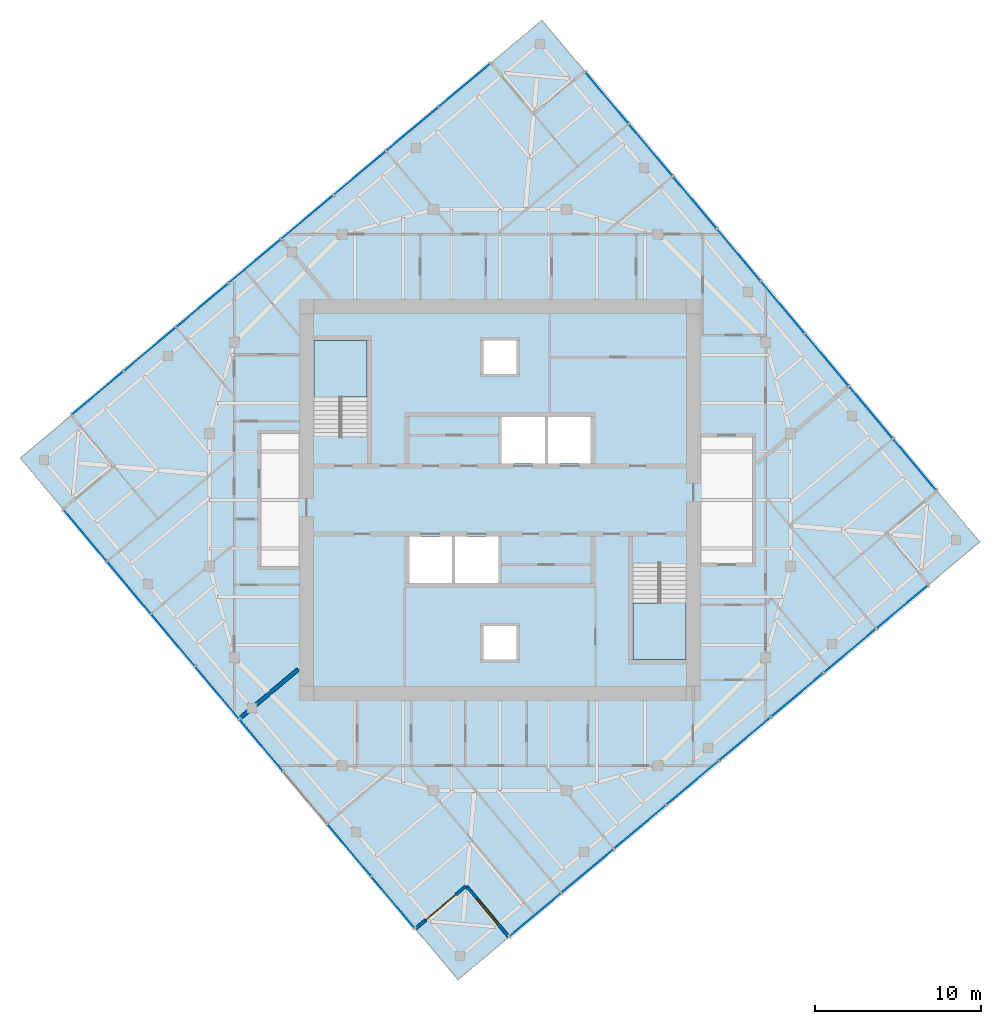
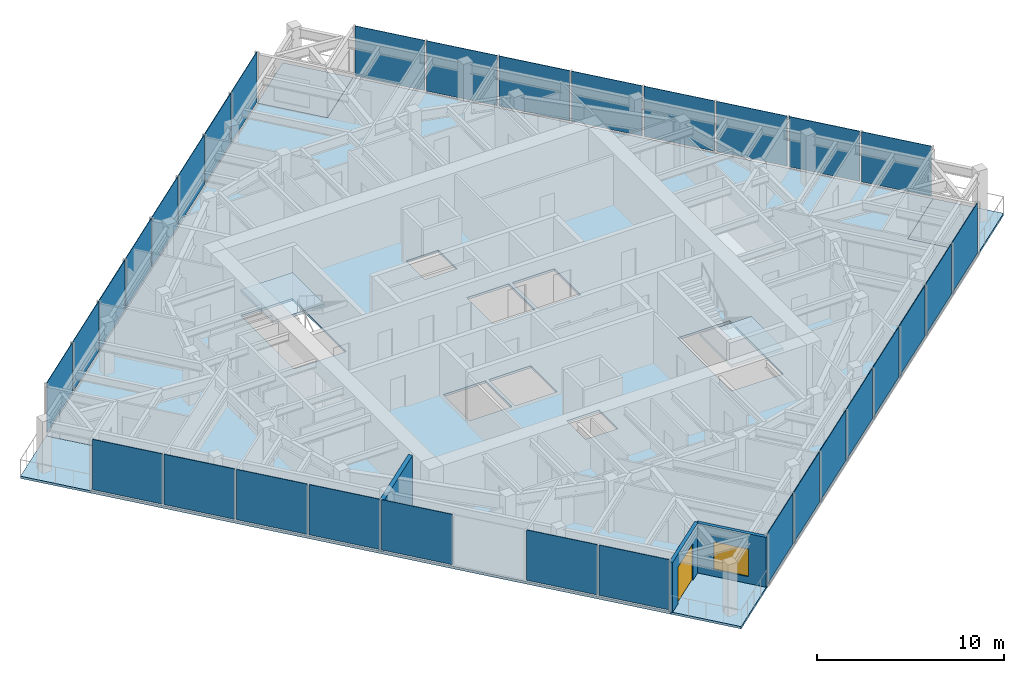
# One storey, part 6 of 12: 31 plates, 7 slabs, 3 walls, 1 door, 1 window, 2 openings, 6 elements without a shape of their own.
"""IFC4 building model written with IfcOpenShell, lengths in metres."""

from ifc_helpers import new_model, si_unit, direction, frame, frame_2d, origin, origin_2d, place, context, subcontext, project, spatial, polyline, rectangle, outline, extrude, material, layer, layer_set, type_object, element, fill, aggregate, save


model = new_model("IFC4")

# Units and contexts
model_context = context("Model", 3, precision=1e-05, world=origin(), true_north=direction((0.0, 1.0)))
body_context = subcontext(model_context, "Body", "Model", "MODEL_VIEW")
ifc_project = project(units=[si_unit("LENGTHUNIT", "METRE"), si_unit("AREAUNIT", "SQUARE_METRE"), si_unit("VOLUMEUNIT", "CUBIC_METRE"), si_unit("PLANEANGLEUNIT", "RADIAN"), si_unit("MASSUNIT", "GRAM", prefix="KILO")], contexts=[model_context])

# Site, building, storey
site_placement = place(None, origin())
site = spatial("IfcSite", under=ifc_project, at=site_placement, CompositionType="ELEMENT")
building_placement = place(site_placement, origin())
building = spatial("IfcBuilding", under=site, at=building_placement, Name="Torsade Residences", CompositionType="ELEMENT")
storey_placement = place(building_placement, frame((0.0, 0.0, 282.800048828125)))
storey = spatial("IfcBuildingStorey", under=building, at=storey_placement, Name="L78", CompositionType="ELEMENT", Elevation=282.800048828125)

# Slab
ifc_material_1 = material(Name="Concrete 40 MPa", Category="concrete")
ifc_layer_1 = layer(ifc_material_1, 0.14990234375)
ifc_layer_set_1 = layer_set([ifc_layer_1], Name="Concrete 40 MPa")
slab_type_1 = type_object("IfcSlabType", Name="COMPOSITE FLOOR SLAB 150", PredefinedType="FLOOR", material=ifc_layer_set_1)
slab_1_placement = place(storey_placement, frame((0.0, 0.0, -0.150146484375)))
element("IfcSlab", 1, at=slab_1_placement, inside=storey, type_object=slab_type_1, Name="Floor slab L78", PredefinedType="FLOOR", context=body_context, shape_type="SweptSolid", body=[
    extrude(outline(polyline([(40.537353515625, 3.690185546875), (65.81689453125, 24.902099609375), (63.245849609375, 27.96630859375), (66.309814453125, 30.537353515625), (45.097900390625, 55.81689453125), (42.03369140625, 53.245849609375), (39.462646484375, 56.309814453125), (14.18310546875, 35.097900390625), (16.754150390625, 32.03369140625), (13.690185546875, 29.462646484375), (34.902099609375, 4.18310546875), (37.96630859375, 6.754150390625), (40.537353515625, 3.690185546875)]), holes=[polyline([(51.199951171875, 26.1201171875), (48.0, 26.1201171875), (48.0, 20.39990234375), (51.199951171875, 20.39990234375), (51.199951171875, 26.1201171875)]), polyline([(45.5, 35.0), (42.89990234375, 35.0), (42.89990234375, 32.199951171875), (45.5, 32.199951171875), (45.5, 35.0)]), polyline([(42.699951171875, 35.0), (40.10009765625, 35.0), (40.10009765625, 32.199951171875), (42.699951171875, 32.199951171875), (42.699951171875, 35.0)]), polyline([(41.0, 22.39990234375), (39.0, 22.39990234375), (39.0, 20.39990234375), (41.0, 20.39990234375), (41.0, 22.39990234375)]), polyline([(41.0, 39.60009765625), (39.0, 39.60009765625), (39.0, 37.60009765625), (41.0, 37.60009765625), (41.0, 39.60009765625)]), polyline([(39.89990234375, 27.800048828125), (37.300048828125, 27.800048828125), (37.300048828125, 25.0), (39.89990234375, 25.0), (39.89990234375, 27.800048828125)]), polyline([(37.10009765625, 27.800048828125), (34.5, 27.800048828125), (34.5, 25.0), (37.10009765625, 25.0), (37.10009765625, 27.800048828125)]), polyline([(32.0, 39.60009765625), (28.800048828125, 39.60009765625), (28.800048828125, 33.8798828125), (32.0, 33.8798828125), (32.0, 39.60009765625)])]), origin(), (0.0, 0.0, 1.0), 0.150146484375),
])

# Curtain wall, plates
ifc_material_2 = material(Name="Aluminium and glass", Category="aluminium")
curtain_wall_type = type_object("IfcCurtainWallType", Name="FRITTED GLASS CURTAIN WALL HIGH ZONE", PredefinedType="NOTDEFINED", material=ifc_material_2)
curtain_wall_1_placement = place(storey_placement, origin())
curtain_wall_1 = element("IfcCurtainWall", 2, at=curtain_wall_1_placement, inside=storey, type_object=curtain_wall_type, Name="Curtain wall L78 face 1", PredefinedType="NOTDEFINED")
ifc_material_3 = material(Name="Laminated glass", Category="glass")
ifc_layer_2 = layer(ifc_material_3, 0.031982421875)
ifc_layer_set_2 = layer_set([ifc_layer_2], Name="Laminated glass")
plate_type_1 = type_object("IfcPlateType", Name="FRITTED GLASS PANEL", PredefinedType="CURTAIN_PANEL", material=ifc_layer_set_2)
plate_1_placement = place(storey_placement, frame((42.136474609375, 5.031982421875, 0.1201171875), z_axis=(0.0, 0.0, 1.0), x_axis=(0.766044437106, 0.642787616853, 0.0)))
plate_1 = element("IfcPlate", 3, at=plate_1_placement, type_object=plate_type_1, Name="Panel 1", PredefinedType="CURTAIN_PANEL", context=body_context, shape_type="SweptSolid", body=[
    extrude(rectangle(XDim=3.97509765625, YDim=0.031982421875, at=origin_2d()), origin(), (0.0, 0.0, 1.0), 3.280029296875),
])
plate_2_placement = place(storey_placement, frame((48.437255859375, 10.31884765625, 0.1201171875), z_axis=(0.0, 0.0, 1.0), x_axis=(0.766044437106, 0.642787616853, 0.0)))
plate_2 = element("IfcPlate", 4, at=plate_2_placement, type_object=plate_type_1, Name="Panel 3", PredefinedType="CURTAIN_PANEL", context=body_context, shape_type="SweptSolid", body=[
    extrude(rectangle(XDim=4.02490234375, YDim=0.031982421875, at=origin_2d()), origin(), (0.0, 0.0, 1.0), 3.280029296875),
])
plate_3_placement = place(storey_placement, frame((51.59716796875, 12.970458984375, 0.1201171875), z_axis=(0.0, 0.0, 1.0), x_axis=(0.766044437106, 0.642787616853, 0.0)))
plate_3 = element("IfcPlate", 5, at=plate_3_placement, type_object=plate_type_1, Name="Panel 4", PredefinedType="CURTAIN_PANEL", context=body_context, shape_type="SweptSolid", body=[
    extrude(rectangle(XDim=4.02490234375, YDim=0.031982421875, at=origin_2d()), origin(), (0.0, 0.0, 1.0), 3.280029296875),
])
plate_4_placement = place(storey_placement, frame((54.757080078125, 15.621826171875, 0.1201171875), z_axis=(0.0, 0.0, 1.0), x_axis=(0.766044437106, 0.642787616853, 0.0)))
plate_4 = element("IfcPlate", 6, at=plate_4_placement, type_object=plate_type_1, Name="Panel 5", PredefinedType="CURTAIN_PANEL", context=body_context, shape_type="SweptSolid", body=[
    extrude(rectangle(XDim=4.02490234375, YDim=0.031982421875, at=origin_2d()), origin(), (0.0, 0.0, 1.0), 3.280029296875),
])
plate_5_placement = place(storey_placement, frame((61.076904296875, 20.9248046875, 0.1201171875), z_axis=(0.0, 0.0, 1.0), x_axis=(0.766044437106, 0.642787616853, 0.0)))
plate_5 = element("IfcPlate", 7, at=plate_5_placement, type_object=plate_type_1, Name="Panel 7", PredefinedType="CURTAIN_PANEL", context=body_context, shape_type="SweptSolid", body=[
    extrude(rectangle(XDim=4.02490234375, YDim=0.031982421875, at=origin_2d()), origin(), (0.0, 0.0, 1.0), 3.280029296875),
])
plate_6_placement = place(storey_placement, frame((64.2177734375, 23.560302734375, 0.1201171875), z_axis=(0.0, 0.0, 1.0), x_axis=(0.766044437106, 0.642787616853, 0.0)))
plate_6 = element("IfcPlate", 8, at=plate_6_placement, type_object=plate_type_1, Name="Panel 8", PredefinedType="CURTAIN_PANEL", context=body_context, shape_type="SweptSolid", body=[
    extrude(rectangle(XDim=3.97509765625, YDim=0.031982421875, at=origin_2d()), origin(), (0.0, 0.0, 1.0), 3.280029296875),
])

curtain_wall_2_placement = place(storey_placement, origin())
curtain_wall_2 = element("IfcCurtainWall", 9, at=curtain_wall_2_placement, inside=storey, type_object=curtain_wall_type, Name="Curtain wall L78 face 4", PredefinedType="NOTDEFINED")
plate_7_placement = place(storey_placement, frame((64.968017578125, 32.136474609375, 0.1201171875), z_axis=(0.0, 0.0, 1.0), x_axis=(-0.642787616853, 0.766044437106, 0.0)))
plate_7 = element("IfcPlate", 10, at=plate_7_placement, type_object=plate_type_1, Name="Panel 1", PredefinedType="CURTAIN_PANEL", context=body_context, shape_type="SweptSolid", body=[
    extrude(rectangle(XDim=3.97509765625, YDim=0.031982421875, at=origin_2d()), origin(), (0.0, 0.0, 1.0), 3.280029296875),
])
plate_8_placement = place(storey_placement, frame((59.68115234375, 38.437255859375, 0.1201171875), z_axis=(0.0, 0.0, 1.0), x_axis=(-0.642787616853, 0.766044437106, 0.0)))
plate_8 = element("IfcPlate", 11, at=plate_8_placement, type_object=plate_type_1, Name="Panel 3", PredefinedType="CURTAIN_PANEL", context=body_context, shape_type="SweptSolid", body=[
    extrude(rectangle(XDim=4.02490234375, YDim=0.031982421875, at=origin_2d()), origin(), (0.0, 0.0, 1.0), 3.280029296875),
])
plate_9_placement = place(storey_placement, frame((57.029541015625, 41.59716796875, 0.1201171875), z_axis=(0.0, 0.0, 1.0), x_axis=(-0.642787616853, 0.766044437106, 0.0)))
plate_9 = element("IfcPlate", 12, at=plate_9_placement, type_object=plate_type_1, Name="Panel 4", PredefinedType="CURTAIN_PANEL", context=body_context, shape_type="SweptSolid", body=[
    extrude(rectangle(XDim=4.02490234375, YDim=0.031982421875, at=origin_2d()), origin(), (0.0, 0.0, 1.0), 3.280029296875),
])
plate_10_placement = place(storey_placement, frame((54.378173828125, 44.757080078125, 0.1201171875), z_axis=(0.0, 0.0, 1.0), x_axis=(-0.642787616853, 0.766044437106, 0.0)))
plate_10 = element("IfcPlate", 13, at=plate_10_placement, type_object=plate_type_1, Name="Panel 5", PredefinedType="CURTAIN_PANEL", context=body_context, shape_type="SweptSolid", body=[
    extrude(rectangle(XDim=4.02490234375, YDim=0.031982421875, at=origin_2d()), origin(), (0.0, 0.0, 1.0), 3.280029296875),
])
plate_11_placement = place(storey_placement, frame((49.0751953125, 51.076904296875, 0.1201171875), z_axis=(0.0, 0.0, 1.0), x_axis=(-0.642787616853, 0.766044437106, 0.0)))
plate_11 = element("IfcPlate", 14, at=plate_11_placement, type_object=plate_type_1, Name="Panel 7", PredefinedType="CURTAIN_PANEL", context=body_context, shape_type="SweptSolid", body=[
    extrude(rectangle(XDim=4.02490234375, YDim=0.031982421875, at=origin_2d()), origin(), (0.0, 0.0, 1.0), 3.280029296875),
])
plate_12_placement = place(storey_placement, frame((46.439697265625, 54.2177734375, 0.1201171875), z_axis=(0.0, 0.0, 1.0), x_axis=(-0.642787616853, 0.766044437106, 0.0)))
plate_12 = element("IfcPlate", 15, at=plate_12_placement, type_object=plate_type_1, Name="Panel 8", PredefinedType="CURTAIN_PANEL", context=body_context, shape_type="SweptSolid", body=[
    extrude(rectangle(XDim=3.97509765625, YDim=0.031982421875, at=origin_2d()), origin(), (0.0, 0.0, 1.0), 3.280029296875),
])

curtain_wall_3_placement = place(storey_placement, origin())
curtain_wall_3 = element("IfcCurtainWall", 16, at=curtain_wall_3_placement, inside=storey, type_object=curtain_wall_type, Name="Curtain wall L78 face 7", PredefinedType="NOTDEFINED")
plate_13_placement = place(storey_placement, frame((37.863525390625, 54.968017578125, 0.1201171875), z_axis=(0.0, 0.0, 1.0), x_axis=(-0.766044437106, -0.642787616853, 0.0)))
plate_13 = element("IfcPlate", 17, at=plate_13_placement, type_object=plate_type_1, Name="Panel 1", PredefinedType="CURTAIN_PANEL", context=body_context, shape_type="SweptSolid", body=[
    extrude(rectangle(XDim=3.97509765625, YDim=0.031982421875, at=origin_2d()), origin(), (0.0, 0.0, 1.0), 3.280029296875),
])
plate_14_placement = place(storey_placement, frame((31.562744140625, 49.68115234375, 0.1201171875), z_axis=(0.0, 0.0, 1.0), x_axis=(-0.766044437106, -0.642787616853, 0.0)))
plate_14 = element("IfcPlate", 18, at=plate_14_placement, type_object=plate_type_1, Name="Panel 3", PredefinedType="CURTAIN_PANEL", context=body_context, shape_type="SweptSolid", body=[
    extrude(rectangle(XDim=4.02490234375, YDim=0.031982421875, at=origin_2d()), origin(), (0.0, 0.0, 1.0), 3.280029296875),
])
plate_15_placement = place(storey_placement, frame((28.40283203125, 47.029541015625, 0.1201171875), z_axis=(0.0, 0.0, 1.0), x_axis=(-0.766044437106, -0.642787616853, 0.0)))
plate_15 = element("IfcPlate", 19, at=plate_15_placement, type_object=plate_type_1, Name="Panel 4", PredefinedType="CURTAIN_PANEL", context=body_context, shape_type="SweptSolid", body=[
    extrude(rectangle(XDim=4.02490234375, YDim=0.031982421875, at=origin_2d()), origin(), (0.0, 0.0, 1.0), 3.280029296875),
])
plate_16_placement = place(storey_placement, frame((25.242919921875, 44.378173828125, 0.1201171875), z_axis=(0.0, 0.0, 1.0), x_axis=(-0.766044437106, -0.642787616853, 0.0)))
plate_16 = element("IfcPlate", 20, at=plate_16_placement, type_object=plate_type_1, Name="Panel 5", PredefinedType="CURTAIN_PANEL", context=body_context, shape_type="SweptSolid", body=[
    extrude(rectangle(XDim=4.02490234375, YDim=0.031982421875, at=origin_2d()), origin(), (0.0, 0.0, 1.0), 3.280029296875),
])
plate_17_placement = place(storey_placement, frame((18.923095703125, 39.0751953125, 0.1201171875), z_axis=(0.0, 0.0, 1.0), x_axis=(-0.766044437106, -0.642787616853, 0.0)))
plate_17 = element("IfcPlate", 21, at=plate_17_placement, type_object=plate_type_1, Name="Panel 7", PredefinedType="CURTAIN_PANEL", context=body_context, shape_type="SweptSolid", body=[
    extrude(rectangle(XDim=4.02490234375, YDim=0.031982421875, at=origin_2d()), origin(), (0.0, 0.0, 1.0), 3.280029296875),
])
plate_18_placement = place(storey_placement, frame((15.7822265625, 36.439697265625, 0.1201171875), z_axis=(0.0, 0.0, 1.0), x_axis=(-0.766044437106, -0.642787616853, 0.0)))
plate_18 = element("IfcPlate", 22, at=plate_18_placement, type_object=plate_type_1, Name="Panel 8", PredefinedType="CURTAIN_PANEL", context=body_context, shape_type="SweptSolid", body=[
    extrude(rectangle(XDim=3.97509765625, YDim=0.031982421875, at=origin_2d()), origin(), (0.0, 0.0, 1.0), 3.280029296875),
])

curtain_wall_4_placement = place(storey_placement, origin())
curtain_wall_4 = element("IfcCurtainWall", 23, at=curtain_wall_4_placement, inside=storey, type_object=curtain_wall_type, Name="Curtain wall L78 face 10", PredefinedType="NOTDEFINED")
plate_19_placement = place(storey_placement, frame((15.031982421875, 27.863525390625, 0.1201171875), z_axis=(0.0, 0.0, 1.0), x_axis=(0.642787616853, -0.766044437106, 0.0)))
plate_19 = element("IfcPlate", 24, at=plate_19_placement, type_object=plate_type_1, Name="Panel 1", PredefinedType="CURTAIN_PANEL", context=body_context, shape_type="SweptSolid", body=[
    extrude(rectangle(XDim=3.97509765625, YDim=0.031982421875, at=origin_2d()), origin(), (0.0, 0.0, 1.0), 3.280029296875),
])
plate_20_placement = place(storey_placement, frame((20.31884765625, 21.562744140625, 0.1201171875), z_axis=(0.0, 0.0, 1.0), x_axis=(0.642787616853, -0.766044437106, 0.0)))
plate_20 = element("IfcPlate", 25, at=plate_20_placement, type_object=plate_type_1, Name="Panel 3", PredefinedType="CURTAIN_PANEL", context=body_context, shape_type="SweptSolid", body=[
    extrude(rectangle(XDim=4.02490234375, YDim=0.031982421875, at=origin_2d()), origin(), (0.0, 0.0, 1.0), 3.280029296875),
])
plate_21_placement = place(storey_placement, frame((22.970458984375, 18.40283203125, 0.1201171875), z_axis=(0.0, 0.0, 1.0), x_axis=(0.642787616853, -0.766044437106, 0.0)))
plate_21 = element("IfcPlate", 26, at=plate_21_placement, type_object=plate_type_1, Name="Panel 4", PredefinedType="CURTAIN_PANEL", context=body_context, shape_type="SweptSolid", body=[
    extrude(rectangle(XDim=4.02490234375, YDim=0.031982421875, at=origin_2d()), origin(), (0.0, 0.0, 1.0), 3.280029296875),
])
plate_22_placement = place(storey_placement, frame((25.621826171875, 15.242919921875, 0.1201171875), z_axis=(0.0, 0.0, 1.0), x_axis=(0.642787616853, -0.766044437106, 0.0)))
plate_22 = element("IfcPlate", 27, at=plate_22_placement, type_object=plate_type_1, Name="Panel 5", PredefinedType="CURTAIN_PANEL", context=body_context, shape_type="SweptSolid", body=[
    extrude(rectangle(XDim=4.02490234375, YDim=0.031982421875, at=origin_2d()), origin(), (0.0, 0.0, 1.0), 3.280029296875),
])
plate_23_placement = place(storey_placement, frame((30.9248046875, 8.923095703125, 0.1201171875), z_axis=(0.0, 0.0, 1.0), x_axis=(0.642787616853, -0.766044437106, 0.0)))
plate_23 = element("IfcPlate", 28, at=plate_23_placement, type_object=plate_type_1, Name="Panel 7", PredefinedType="CURTAIN_PANEL", context=body_context, shape_type="SweptSolid", body=[
    extrude(rectangle(XDim=4.02490234375, YDim=0.031982421875, at=origin_2d()), origin(), (0.0, 0.0, 1.0), 3.280029296875),
])
plate_24_placement = place(storey_placement, frame((33.560302734375, 5.7822265625, 0.1201171875), z_axis=(0.0, 0.0, 1.0), x_axis=(0.642787616853, -0.766044437106, 0.0)))
plate_24 = element("IfcPlate", 29, at=plate_24_placement, type_object=plate_type_1, Name="Panel 8", PredefinedType="CURTAIN_PANEL", context=body_context, shape_type="SweptSolid", body=[
    extrude(rectangle(XDim=3.97509765625, YDim=0.031982421875, at=origin_2d()), origin(), (0.0, 0.0, 1.0), 3.280029296875),
])

# Plate
ifc_material_4 = material(Name="Laminated glass", Category="glass")
ifc_layer_3 = layer(ifc_material_4, 0.0400390625)
ifc_layer_set_3 = layer_set([ifc_layer_3], Name="Laminated glass")
plate_type_2 = type_object("IfcPlateType", Name="OPERABLE VENT PANEL", PredefinedType="CURTAIN_PANEL", material=ifc_layer_set_3)
plate_25_placement = place(storey_placement, frame((45.27734375, 7.667236328125, 0.1201171875), z_axis=(0.0, 0.0, 1.0), x_axis=(0.766044437106, 0.642787616853, 0.0)))
plate_25 = element("IfcPlate", 30, at=plate_25_placement, type_object=plate_type_2, Name="Panel 2", PredefinedType="CURTAIN_PANEL", context=body_context, shape_type="SweptSolid", body=[
    extrude(rectangle(XDim=4.02490234375, YDim=0.0400390625, at=origin_2d()), origin(), (0.0, 0.0, 1.0), 3.280029296875),
])

plate_26_placement = place(storey_placement, frame((57.9169921875, 18.2734375, 0.1201171875), z_axis=(0.0, 0.0, 1.0), x_axis=(0.766044437106, 0.642787616853, 0.0)))
plate_26 = element("IfcPlate", 31, at=plate_26_placement, type_object=plate_type_2, Name="Panel 6", PredefinedType="CURTAIN_PANEL", context=body_context, shape_type="SweptSolid", body=[
    extrude(rectangle(XDim=4.02490234375, YDim=0.0400390625, at=origin_2d()), origin(), (0.0, 0.0, 1.0), 3.280029296875),
])

aggregate(curtain_wall_1, [plate_1, plate_25, plate_2, plate_3, plate_4, plate_26, plate_5, plate_6])

plate_27_placement = place(storey_placement, frame((62.332763671875, 35.27734375, 0.1201171875), z_axis=(0.0, 0.0, 1.0), x_axis=(-0.642787616853, 0.766044437106, 0.0)))
plate_27 = element("IfcPlate", 32, at=plate_27_placement, type_object=plate_type_2, Name="Panel 2", PredefinedType="CURTAIN_PANEL", context=body_context, shape_type="SweptSolid", body=[
    extrude(rectangle(XDim=4.02490234375, YDim=0.0400390625, at=origin_2d()), origin(), (0.0, 0.0, 1.0), 3.280029296875),
])

plate_28_placement = place(storey_placement, frame((51.7265625, 47.9169921875, 0.1201171875), z_axis=(0.0, 0.0, 1.0), x_axis=(-0.642787616853, 0.766044437106, 0.0)))
plate_28 = element("IfcPlate", 33, at=plate_28_placement, type_object=plate_type_2, Name="Panel 6", PredefinedType="CURTAIN_PANEL", context=body_context, shape_type="SweptSolid", body=[
    extrude(rectangle(XDim=4.02490234375, YDim=0.0400390625, at=origin_2d()), origin(), (0.0, 0.0, 1.0), 3.280029296875),
])

aggregate(curtain_wall_2, [plate_7, plate_27, plate_8, plate_9, plate_10, plate_28, plate_11, plate_12])

plate_29_placement = place(storey_placement, frame((34.72265625, 52.332763671875, 0.1201171875), z_axis=(0.0, 0.0, 1.0), x_axis=(-0.766044437106, -0.642787616853, 0.0)))
plate_29 = element("IfcPlate", 34, at=plate_29_placement, type_object=plate_type_2, Name="Panel 2", PredefinedType="CURTAIN_PANEL", context=body_context, shape_type="SweptSolid", body=[
    extrude(rectangle(XDim=4.02490234375, YDim=0.0400390625, at=origin_2d()), origin(), (0.0, 0.0, 1.0), 3.280029296875),
])

plate_30_placement = place(storey_placement, frame((22.0830078125, 41.7265625, 0.1201171875), z_axis=(0.0, 0.0, 1.0), x_axis=(-0.766044437106, -0.642787616853, 0.0)))
plate_30 = element("IfcPlate", 35, at=plate_30_placement, type_object=plate_type_2, Name="Panel 6", PredefinedType="CURTAIN_PANEL", context=body_context, shape_type="SweptSolid", body=[
    extrude(rectangle(XDim=4.02490234375, YDim=0.0400390625, at=origin_2d()), origin(), (0.0, 0.0, 1.0), 3.280029296875),
])

aggregate(curtain_wall_3, [plate_13, plate_29, plate_14, plate_15, plate_16, plate_30, plate_17, plate_18])

plate_31_placement = place(storey_placement, frame((17.667236328125, 24.72265625, 0.1201171875), z_axis=(0.0, 0.0, 1.0), x_axis=(0.642787616853, -0.766044437106, 0.0)))
plate_31 = element("IfcPlate", 36, at=plate_31_placement, type_object=plate_type_2, Name="Panel 2", PredefinedType="CURTAIN_PANEL", context=body_context, shape_type="SweptSolid", body=[
    extrude(rectangle(XDim=4.02490234375, YDim=0.0400390625, at=origin_2d()), origin(), (0.0, 0.0, 1.0), 3.280029296875),
])

aggregate(curtain_wall_4, [plate_19, plate_31, plate_20, plate_21, plate_22, plate_23, plate_24])

# Stair, slab
ifc_material_5 = material(Name="Precast concrete 40 MPa", Category="concrete")
stair_type = type_object("IfcStairType", Name="HALF-TURN FIRE STAIR 1500x3400", PredefinedType="HALF_TURN_STAIR", material=ifc_material_5)
stair_1_placement = place(storey_placement, origin())
stair_1 = element("IfcStair", 37, at=stair_1_placement, inside=storey, type_object=stair_type, Name="Stair ST1 L78", PredefinedType="HALF_TURN_STAIR")
ifc_material_6 = material(Name="Precast concrete 40 MPa", Category="concrete")
ifc_layer_4 = layer(ifc_material_6, 0.179931640625)
ifc_layer_set_4 = layer_set([ifc_layer_4], Name="Precast concrete 40 MPa")
slab_type_2 = type_object("IfcSlabType", Name="PRECAST STAIR LANDING 180", PredefinedType="LANDING", material=ifc_layer_set_4)
slab_2_placement = place(storey_placement, frame((0.0, 0.0, 1.52001953125)))
slab_2 = element("IfcSlab", 38, at=slab_2_placement, type_object=slab_type_2, Name="ST1 landing 1", PredefinedType="LANDING", context=body_context, shape_type="SweptSolid", body=[
    extrude(outline(polyline([(28.800048828125, 36.2099609375), (32.0, 36.2099609375), (32.0, 39.60009765625), (28.800048828125, 39.60009765625), (28.800048828125, 36.2099609375)])), origin(), (0.0, 0.0, 1.0), 0.179931640625),
])
aggregate(stair_1, [slab_2])

stair_2_placement = place(storey_placement, origin())
stair_2 = element("IfcStair", 39, at=stair_2_placement, inside=storey, type_object=stair_type, Name="Stair ST2 L78", PredefinedType="HALF_TURN_STAIR")
slab_3_placement = place(storey_placement, frame((0.0, 0.0, 1.52001953125)))
slab_3 = element("IfcSlab", 40, at=slab_3_placement, type_object=slab_type_2, Name="ST2 landing 1", PredefinedType="LANDING", context=body_context, shape_type="SweptSolid", body=[
    extrude(outline(polyline([(48.0, 20.39990234375), (51.199951171875, 20.39990234375), (51.199951171875, 23.7900390625), (48.0, 23.7900390625), (48.0, 20.39990234375)])), origin(), (0.0, 0.0, 1.0), 0.179931640625),
])
aggregate(stair_2, [slab_3])

# Slabs
ifc_material_7 = material(Name="Concrete 40 MPa", Category="concrete")
ifc_layer_5 = layer(ifc_material_7, 0.14990234375)
ifc_layer_set_5 = layer_set([ifc_layer_5], Name="Concrete 40 MPa")
slab_type_3 = type_object("IfcSlabType", Name="TERRACE SLAB 150", PredefinedType="FLOOR", material=ifc_layer_set_5)
slab_4_placement = place(storey_placement, frame((0.0, 0.0, -0.150146484375)))
element("IfcSlab", 41, at=slab_4_placement, inside=storey, type_object=slab_type_3, Name="Corner terrace slab SE L78", PredefinedType="FLOOR", context=body_context, shape_type="SweptSolid", body=[
    extrude(outline(polyline([(65.81689453125, 24.902099609375), (68.881103515625, 27.47314453125), (66.309814453125, 30.537353515625), (63.245849609375, 27.96630859375), (65.81689453125, 24.902099609375)])), origin(), (0.0, 0.0, 1.0), 0.150146484375),
])
slab_5_placement = place(storey_placement, frame((0.0, 0.0, -0.150146484375)))
element("IfcSlab", 42, at=slab_5_placement, inside=storey, type_object=slab_type_3, Name="Corner terrace slab NE L78", PredefinedType="FLOOR", context=body_context, shape_type="SweptSolid", body=[
    extrude(outline(polyline([(42.03369140625, 53.245849609375), (45.097900390625, 55.81689453125), (42.52685546875, 58.881103515625), (39.462646484375, 56.309814453125), (42.03369140625, 53.245849609375)])), origin(), (0.0, 0.0, 1.0), 0.150146484375),
])
slab_6_placement = place(storey_placement, frame((0.0, 0.0, -0.150146484375)))
element("IfcSlab", 43, at=slab_6_placement, inside=storey, type_object=slab_type_3, Name="Corner terrace slab NW L78", PredefinedType="FLOOR", context=body_context, shape_type="SweptSolid", body=[
    extrude(outline(polyline([(13.690185546875, 29.462646484375), (16.754150390625, 32.03369140625), (14.18310546875, 35.097900390625), (11.118896484375, 32.52685546875), (13.690185546875, 29.462646484375)])), origin(), (0.0, 0.0, 1.0), 0.150146484375),
])
slab_7_placement = place(storey_placement, frame((0.0, 0.0, -0.150146484375)))
element("IfcSlab", 44, at=slab_7_placement, inside=storey, type_object=slab_type_3, Name="Corner terrace slab SW L78", PredefinedType="FLOOR", context=body_context, shape_type="SweptSolid", body=[
    extrude(outline(polyline([(37.47314453125, 1.118896484375), (40.537353515625, 3.690185546875), (37.96630859375, 6.754150390625), (34.902099609375, 4.18310546875), (37.47314453125, 1.118896484375)])), origin(), (0.0, 0.0, 1.0), 0.150146484375),
])

# Wall
ifc_material_8 = material(Name="Masonry-lined stud party wall", Category="masonry")
ifc_layer_6 = layer(ifc_material_8, 0.25)
ifc_layer_set_6 = layer_set([ifc_layer_6], Name="Masonry-lined stud party wall")
wall_type_1 = type_object("IfcWallType", Name="PARTY WALL 250", PredefinedType="PARTITIONING", material=ifc_layer_set_6)
wall_1_placement = place(storey_placement, frame((24.296142578125, 16.82275390625, 0.0), z_axis=(0.0, 0.0, 1.0), x_axis=(0.76603440109, 0.64279957712, 0.0)))
element("IfcWall", 45, at=wall_1_placement, inside=storey, type_object=wall_type_1, Name="Party wall L78", PredefinedType="PARTITIONING", context=body_context, shape_type="SweptSolid", body=[
    extrude(rectangle(XDim=4.6396484375, YDim=0.25, at=frame_2d((2.31982421875, 0.0))), origin(), (0.0, 0.0, 1.0), 3.25),
])

# Wall, opening, door
ifc_material_9 = material(Name="Stone-faced precast concrete 40 MPa panel", Category="masonry")
ifc_layer_7 = layer(ifc_material_9, 0.199951171875)
ifc_layer_set_7 = layer_set([ifc_layer_7], Name="Stone-faced precast concrete 40 MPa panel")
wall_type_2 = type_object("IfcWallType", Name="TERRACE WALL 200", PredefinedType="SOLIDWALL", material=ifc_layer_set_7)
wall_2_placement = place(storey_placement, frame((34.902099609375, 4.18310546875, 0.0), z_axis=(0.0, 0.0, 1.0), x_axis=(0.766060656284, 0.642768287094, 0.0)))
wall_2 = element("IfcWall", 46, at=wall_2_placement, inside=storey, type_object=wall_type_2, Name="Terrace wall L78 11", PredefinedType="SOLIDWALL", context=body_context, shape_type="SweptSolid", body=[
    extrude(rectangle(XDim=4.0, YDim=0.199951171875, at=frame_2d((2.0, 0.0))), origin(), (0.0, 0.0, 1.0), 3.25),
])
opening_1_placement = place(wall_2_placement, frame((0.800048828125, 0.0, 0.0)))
opening_1 = element("IfcOpeningElement", 47, at=opening_1_placement, cuts=wall_2, Name="Opening D10", PredefinedType="OPENING", context=body_context, shape_type="SweptSolid", body=[
    extrude(rectangle(XDim=2.39990234375, YDim=2.39990234375, at=frame_2d((1.199951171875, 1.199951171875))), frame((0.0, 0.10986328125, 0.0), z_axis=(0.0, -1.0, 0.0), x_axis=(1.0, 0.0, 0.0)), (0.0, 0.0, 1.0), 0.219970703125),
])
ifc_material_10 = material(Name="Aluminium-framed glass door", Category="aluminium")
door_type = type_object("IfcDoorType", Name="TERRACE SLIDING DOOR 2400", OperationType="SLIDING_TO_LEFT", PredefinedType="DOOR", material=ifc_material_10)
door_placement = place(opening_1_placement, origin())
door = element("IfcDoor", 48, at=door_placement, inside=storey, type_object=door_type, Name="Terrace door L78 11", OperationType="SLIDING_TO_LEFT", OverallHeight=2.39990234375, OverallWidth=2.39990234375, PredefinedType="DOOR", context=body_context, shape_type="SweptSolid", body=[
    extrude(rectangle(XDim=2.39990234375, YDim=2.39990234375, at=frame_2d((1.199951171875, 1.199951171875))), frame((0.0, 0.02490234375, 0.0), z_axis=(0.0, -1.0, 0.0), x_axis=(1.0, 0.0, 0.0)), (0.0, 0.0, 1.0), 0.050048828125),
])
fill(opening_1, door)

# Wall, opening, window
wall_3_placement = place(storey_placement, frame((37.96630859375, 6.754150390625, 0.0), z_axis=(0.0, 0.0, 1.0), x_axis=(0.642798342015, -0.766035437498, 0.0)))
wall_3 = element("IfcWall", 49, at=wall_3_placement, inside=storey, type_object=wall_type_2, Name="Terrace wall L78 12", PredefinedType="SOLIDWALL", context=body_context, shape_type="SweptSolid", body=[
    extrude(rectangle(XDim=3.999755859375, YDim=0.199951171875, at=frame_2d((2.0, 0.0))), origin(), (0.0, 0.0, 1.0), 3.25),
])
opening_2_placement = place(wall_3_placement, frame((1.0, 0.0, 0.449951171875)))
opening_2 = element("IfcOpeningElement", 50, at=opening_2_placement, cuts=wall_3, Name="Opening W1B", PredefinedType="OPENING", context=body_context, shape_type="SweptSolid", body=[
    extrude(rectangle(XDim=2.0, YDim=1.800048828125, at=frame_2d((1.0, 0.89990234375))), frame((0.0, 0.10986328125, 0.0), z_axis=(0.0, -1.0, 0.0), x_axis=(1.0, 0.0, 0.0)), (0.0, 0.0, 1.0), 0.219970703125),
])
ifc_material_11 = material(Name="Aluminium-framed glass window", Category="aluminium")
window_type = type_object("IfcWindowType", Name="TERRACE WINDOW 2000x1800", PartitioningType="SINGLE_PANEL", PredefinedType="WINDOW", material=ifc_material_11)
window_placement = place(opening_2_placement, origin())
window = element("IfcWindow", 51, at=window_placement, inside=storey, type_object=window_type, Name="Terrace window L78 12", OverallHeight=1.800048828125, OverallWidth=2.0, PartitioningType="SINGLE_PANEL", PredefinedType="WINDOW", context=body_context, shape_type="SweptSolid", body=[
    extrude(rectangle(XDim=2.0, YDim=1.800048828125, at=frame_2d((1.0, 0.89990234375))), frame((0.0, 0.030029296875, 0.0), z_axis=(0.0, -1.0, 0.0), x_axis=(1.0, 0.0, 0.0)), (0.0, 0.0, 1.0), 0.06005859375),
])
fill(opening_2, window)

save(model, "model.ifc")
